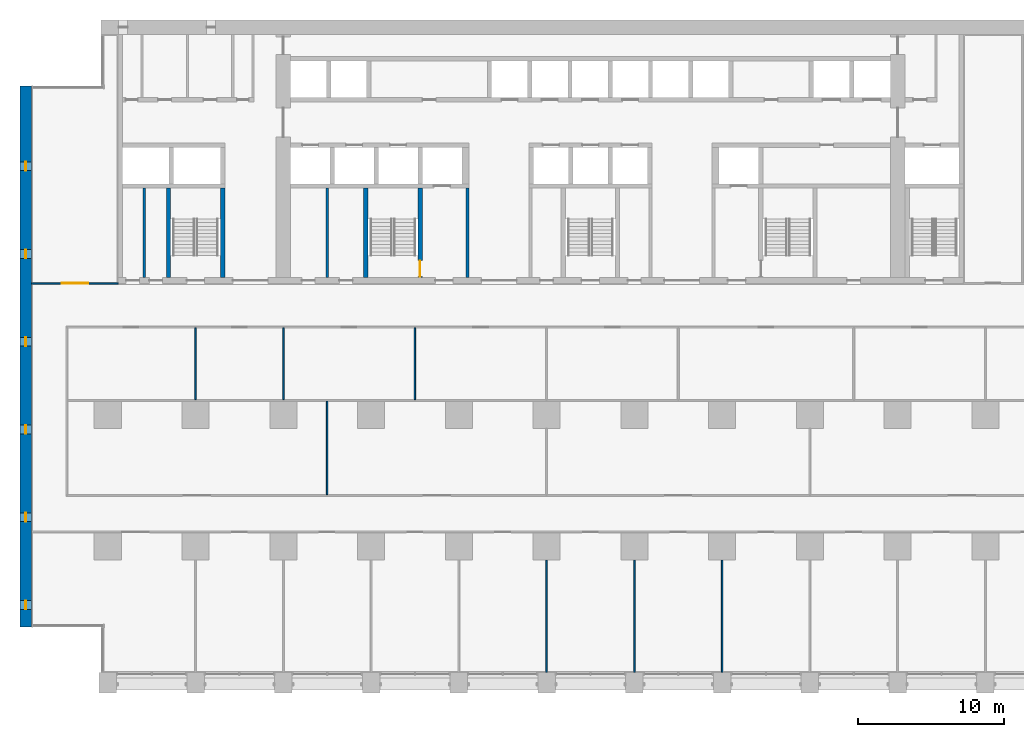
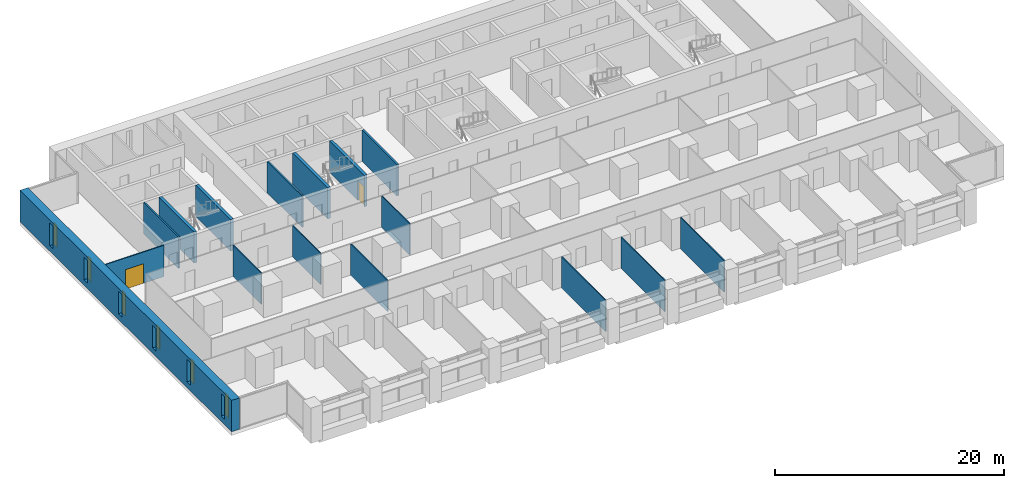
# One storey, part 8 of 18: 16 walls, 6 windows, 2 doors, 8 openings.
"""IFC4 building model written with IfcOpenShell, lengths in metres."""

import ifcopenshell
import ifcopenshell.guid

model = None  # the IFC model being written
_history = None  # IfcOwnerHistory: only IFC2X3 demands one
_inside = {}  # id of a spatial element -> (the spatial element, [elements in it])
_under = {}  # id of a project, library or spatial element -> (it, [spatial elements below it])
_declared = {}  # id of a project -> (the project, [libraries it declares])
_typed = {}  # id of a type object -> (the type object, [elements of that type])
_made_of = {}  # id of a material, layer set ... -> (it, [elements and type objects made of it])


def new_model(schema):
    """Start an empty IFC model of exactly this schema.

    Asked for "IFC4X3", IfcOpenShell would pick the latest addendum, in which some entities
    have other attributes; the version numbers below select the first issue.
    IFC2X3 requires an IfcOwnerHistory on every rooted entity: one is made here for all.
    """
    global model, _history
    if schema == "IFC4X3":
        model = ifcopenshell.file(schema_version=(4, 3, 0, 0))
    else:
        model = ifcopenshell.file(schema=schema)
    _inside.clear()
    _under.clear()
    _declared.clear()
    _typed.clear()
    _made_of.clear()
    _history = None
    if model.schema == "IFC2X3":
        org = make("IfcOrganization", Name="unknown")
        user = make(
            "IfcPersonAndOrganization",
            ThePerson=make("IfcPerson", FamilyName="unknown"),
            TheOrganization=org,
        )
        app = make(
            "IfcApplication",
            ApplicationDeveloper=org,
            Version="unknown",
            ApplicationFullName="unknown",
            ApplicationIdentifier="unknown",
        )
        _history = make(
            "IfcOwnerHistory",
            OwningUser=user,
            OwningApplication=app,
            ChangeAction="ADDED",
            CreationDate=0,
        )
    return model


def make(cls, **values):
    """One entity of the class cls with the attributes given. An attribute that is None is left unset."""
    return model.create_entity(
        cls, **{name: value for name, value in values.items() if value is not None}
    )


def rooted(cls, **values):
    """An entity with a GlobalId (a new one), such as an element, a storey or a relation."""
    return make(cls, GlobalId=ifcopenshell.guid.new(), OwnerHistory=_history, **values)


def si_unit(unit_type, name, prefix=None):
    """IfcSIUnit, for example si_unit("LENGTHUNIT", "METRE", prefix="MILLI")."""
    return make("IfcSIUnit", UnitType=unit_type, Prefix=prefix, Name=name)


def assignment(units):
    """IfcUnitAssignment: the units of a project."""
    return None if units is None else make("IfcUnitAssignment", Units=units)


def point(xyz):
    """IfcCartesianPoint."""
    return None if xyz is None else make("IfcCartesianPoint", Coordinates=xyz)


def direction(xyz):
    """IfcDirection."""
    return None if xyz is None else make("IfcDirection", DirectionRatios=xyz)


def frame(location, z_axis=None, x_axis=None):
    """IfcAxis2Placement3D, a coordinate frame: its origin and axes. An axis left out is left unset."""
    return make(
        "IfcAxis2Placement3D",
        Location=point(location),
        Axis=direction(z_axis),
        RefDirection=direction(x_axis),
    )


def frame_2d(location, x_axis=None):
    """IfcAxis2Placement2D, a coordinate frame in the plane: its origin and x axis."""
    return make(
        "IfcAxis2Placement2D", Location=point(location), RefDirection=direction(x_axis)
    )


def origin():
    """The frame at (0, 0, 0) with its axes left unset."""
    return frame((0.0, 0.0, 0.0))


def place(relative_to, where):
    """IfcLocalPlacement: puts the frame where relative to a parent placement (None: the world)."""
    return make(
        "IfcLocalPlacement", PlacementRelTo=relative_to, RelativePlacement=where
    )


def context(
    kind, dimensions, precision=None, world=None, true_north=None, identifier=None
):
    """IfcGeometricRepresentationContext, for example the 3D "Model" context."""
    return make(
        "IfcGeometricRepresentationContext",
        ContextIdentifier=identifier,
        ContextType=kind,
        CoordinateSpaceDimension=dimensions,
        Precision=precision,
        WorldCoordinateSystem=world,
        TrueNorth=true_north,
    )


def subcontext(parent, identifier, kind, view, scale=None):
    """IfcGeometricRepresentationSubContext, for example "Body" below "Model"."""
    return make(
        "IfcGeometricRepresentationSubContext",
        ContextIdentifier=identifier,
        ContextType=kind,
        ParentContext=parent,
        TargetScale=scale,
        TargetView=view,
    )


def project(units=None, contexts=None):
    """IfcProject with its units and contexts."""
    return rooted(
        "IfcProject",
        Name="project",
        RepresentationContexts=contexts,
        UnitsInContext=assignment(units),
    )


def spatial(cls, under=None, at=None, **own):
    """A site, building, storey or space (cls), placed at a placement, below another one or the project."""
    s = rooted(cls, ObjectPlacement=at, **own)
    if under is not None:
        _under.setdefault(under.id(), (under, []))[1].append(s)
    return s


def profile(cls, at=None, kind="AREA", **sizes):
    """A parametric profile (cls). Its sizes go by their IFC names, for example OverallWidth=200.0."""
    return make(cls, ProfileType=kind, Position=at, **sizes)


def rectangle(**sizes):
    """IfcRectangleProfileDef."""
    return profile("IfcRectangleProfileDef", **sizes)


def extrude(swept, where, along, depth):
    """IfcExtrudedAreaSolid: the profile swept, set in the frame where, extruded along a direction by depth."""
    return make(
        "IfcExtrudedAreaSolid",
        SweptArea=swept,
        Position=where,
        ExtrudedDirection=direction(along),
        Depth=depth,
    )


def shape(context_of_items, identifier, shape_type, items):
    """IfcShapeRepresentation: the items that make up one representation, for example the "Body"."""
    return make(
        "IfcShapeRepresentation",
        ContextOfItems=context_of_items,
        RepresentationIdentifier=identifier,
        RepresentationType=shape_type,
        Items=items,
    )


def material(Name=None, Category=None):
    """IfcMaterial."""
    return make("IfcMaterial", Name=Name, Category=Category)


def layer(
    of_material, thickness, ventilated=None, Name=None, Category=None, Priority=None
):
    """IfcMaterialLayer: one layer of a wall or slab, of a material (None: an air gap)."""
    return make(
        "IfcMaterialLayer",
        Material=of_material,
        LayerThickness=thickness,
        IsVentilated=ventilated,
        Name=Name,
        Category=Category,
        Priority=Priority,
    )


def layer_set(layers, Name=None):
    """IfcMaterialLayerSet."""
    return make("IfcMaterialLayerSet", MaterialLayers=layers, LayerSetName=Name)


def made_of(thing, what):
    """Note that an element or type object is made of a material, layer set ...; save() writes the relation."""
    if what is not None:
        _made_of.setdefault(what.id(), (what, []))[1].append(thing)
    return thing


def type_object(cls, material=None, **own):
    """A type object (cls), such as IfcWallType, which elements share."""
    return made_of(rooted(cls, **own), material)


def element(
    cls,
    number,
    at=None,
    inside=None,
    cuts=None,
    type_object=None,
    material=None,
    context=None,
    identifier="Body",
    shape_type=None,
    held_by="IfcProductDefinitionShape",
    body=None,
    shapes=None,
    **own,
):
    """One element of the class cls, such as IfcWall. Its Tag is "e" and its number.

    at: its placement. inside: the storey or other place that contains it. cuts: it is an
    opening in that element (IfcRelVoidsElement). A single representation is given by context,
    identifier, shape_type and body (its items); several are given by shapes. held_by: the class
    of the entity that holds the representations. save() writes the other relations.
    """
    e = rooted(cls, Tag="e%d" % number, ObjectPlacement=at, **own)
    if body is not None:
        shapes = [shape(context, identifier, shape_type, body)]
    if shapes is not None:
        e.Representation = make(held_by, Representations=shapes)
    if inside is not None:
        _inside.setdefault(inside.id(), (inside, []))[1].append(e)
    if cuts is not None:
        rooted(
            "IfcRelVoidsElement", RelatingBuildingElement=cuts, RelatedOpeningElement=e
        )
    if type_object is not None:
        _typed.setdefault(type_object.id(), (type_object, []))[1].append(e)
    return made_of(e, material)


def fill(opening, filler):
    """IfcRelFillsElement: the door or window that sits in an opening."""
    return rooted(
        "IfcRelFillsElement",
        RelatingOpeningElement=opening,
        RelatedBuildingElement=filler,
    )


def aggregate(whole, parts):
    """IfcRelAggregates: a whole, such as a stair, and the parts it consists of."""
    return rooted("IfcRelAggregates", RelatingObject=whole, RelatedObjects=parts)


def save(model, path):
    """Write the relations noted so far, then the file.

    IfcRelAggregates (storeys below a building ...), IfcRelContainedInSpatialStructure (elements
    in a storey), IfcRelDefinesByType, IfcRelAssociatesMaterial and IfcRelDeclares: one each for
    every whole, place, type object, material and project.
    """
    for whole, parts in _under.values():
        aggregate(whole, parts)
    for where, things in _inside.values():
        rooted(
            "IfcRelContainedInSpatialStructure",
            RelatedElements=things,
            RelatingStructure=where,
        )
    for kind, things in _typed.values():
        rooted("IfcRelDefinesByType", RelatedObjects=things, RelatingType=kind)
    for what, things in _made_of.values():
        rooted("IfcRelAssociatesMaterial", RelatedObjects=things, RelatingMaterial=what)
    for by, libraries in _declared.values():
        rooted("IfcRelDeclares", RelatingContext=by, RelatedDefinitions=libraries)
    model.write(path)


model = new_model("IFC4")

# Units and contexts
model_context = context("Model", 3, precision=1e-05, world=origin(), true_north=direction((0.0, 1.0)))
body_context = subcontext(model_context, "Body", "Model", "MODEL_VIEW")
ifc_project = project(units=[si_unit("LENGTHUNIT", "METRE"), si_unit("AREAUNIT", "SQUARE_METRE"), si_unit("VOLUMEUNIT", "CUBIC_METRE"), si_unit("PLANEANGLEUNIT", "RADIAN"), si_unit("MASSUNIT", "GRAM", prefix="KILO")], contexts=[model_context])

# Site, building, storey
site_placement = place(None, origin())
site = spatial("IfcSite", under=ifc_project, at=site_placement, CompositionType="ELEMENT")
building_placement = place(site_placement, origin())
building = spatial("IfcBuilding", under=site, at=building_placement, Name="Calvaro Tower", CompositionType="ELEMENT")
storey_placement = place(building_placement, frame((0.0, 0.0, 26.25)))
storey = spatial("IfcBuildingStorey", under=building, at=storey_placement, Name="L05", CompositionType="ELEMENT", Elevation=26.25)

# Walls
ifc_material_1 = material(Name="Blockwork partition", Category="masonry")
ifc_layer_1 = layer(ifc_material_1, 0.14990234375)
ifc_layer_set_1 = layer_set([ifc_layer_1], Name="Blockwork partition")
wall_type_1 = type_object("IfcWallType", Name="Core partition 150 EI 60", PredefinedType="PARTITIONING", material=ifc_layer_set_1)
wall_1_placement = place(storey_placement, frame((21.0, 28.39990234375, 0.0), z_axis=(0.0, 0.0, 1.0), x_axis=(0.0, 1.0, 0.0)))
element("IfcWall", 1, at=wall_1_placement, inside=storey, type_object=wall_type_1, Name="Core partition", PredefinedType="PARTITIONING", context=body_context, shape_type="SweptSolid", body=[
    extrude(rectangle(XDim=6.10009765625, YDim=0.14990234375, at=frame_2d((3.050048828125, 0.0))), origin(), (0.0, 0.0, 1.0), 3.35009765625),
])
ifc_material_2 = material(Name="Blockwork partition", Category="masonry")
ifc_layer_2 = layer(ifc_material_2, 0.14990234375)
ifc_layer_set_2 = layer_set([ifc_layer_2], Name="Blockwork partition")
wall_type_2 = type_object("IfcWallType", Name="Core partition 150 REI 120", PredefinedType="PARTITIONING", material=ifc_layer_set_2)
wall_2_placement = place(storey_placement, frame((8.5, 28.39990234375, 0.0), z_axis=(0.0, 0.0, 1.0), x_axis=(0.0, 1.0, 0.0)))
element("IfcWall", 2, at=wall_2_placement, inside=storey, type_object=wall_type_2, Name="Core partition", PredefinedType="PARTITIONING", context=body_context, shape_type="SweptSolid", body=[
    extrude(rectangle(XDim=6.10009765625, YDim=0.14990234375, at=frame_2d((3.050048828125, 0.0))), origin(), (0.0, 0.0, 1.0), 3.35009765625),
])
ifc_material_3 = material(Name="Blockwork partition", Category="masonry")
ifc_layer_3 = layer(ifc_material_3, 0.199951171875)
ifc_layer_set_3 = layer_set([ifc_layer_3], Name="Blockwork partition")
wall_type_3 = type_object("IfcWallType", Name="Core partition 200 REI 120", PredefinedType="PARTITIONING", material=ifc_layer_set_3)
wall_3_placement = place(storey_placement, frame((30.60009765625, 28.39990234375, 0.0), z_axis=(0.0, 0.0, 1.0), x_axis=(0.0, 1.0, 0.0)))
element("IfcWall", 3, at=wall_3_placement, inside=storey, type_object=wall_type_3, Name="Core partition", PredefinedType="PARTITIONING", context=body_context, shape_type="SweptSolid", body=[
    extrude(rectangle(XDim=6.10009765625, YDim=0.199951171875, at=frame_2d((3.050048828125, 0.0))), origin(), (0.0, 0.0, 1.0), 3.35009765625),
])
ifc_material_4 = material(Name="Concrete C80/95", Category="concrete")
ifc_layer_4 = layer(ifc_material_4, 0.300048828125)
ifc_layer_set_4 = layer_set([ifc_layer_4], Name="Concrete C80/95")
wall_type_4 = type_object("IfcWallType", Name="Core wall C80/95 300", PredefinedType="SHEAR", material=ifc_layer_set_4)
for number, where, z_axis, x_axis, name in (
    (4, (10.14990234375, 28.39990234375, 0.0), (0.0, 0.0, 1.0), (0.0, 1.0, 0.0), "Core wall, stair enclosure"),
    (5, (13.85009765625, 28.39990234375, 0.0), (0.0, 0.0, 1.0), (0.0, 1.0, 0.0), "Core wall, stair enclosure"),
    (6, (23.64990234375, 28.39990234375, 0.0), (0.0, 0.0, 1.0), (0.0, 1.0, 0.0), "Core wall, stair enclosure"),
):
    element("IfcWall", number, at=place(storey_placement, frame(where, z_axis=z_axis, x_axis=x_axis)), inside=storey, type_object=wall_type_4, Name=name, PredefinedType="SHEAR", context=body_context, shape_type="SweptSolid", body=[
        extrude(rectangle(XDim=6.10009765625, YDim=0.300048828125, at=frame_2d((3.050048828125, 0.0))), origin(), (0.0, 0.0, 1.0), 3.35009765625),
    ])

# Wall, opening, door
wall_4_placement = place(storey_placement, frame((27.35009765625, 28.39990234375, 0.0), z_axis=(0.0, 0.0, 1.0), x_axis=(0.0, 1.0, 0.0)))
wall_4 = element("IfcWall", 7, at=wall_4_placement, inside=storey, type_object=wall_type_4, Name="Core wall, stair enclosure", PredefinedType="SHEAR", context=body_context, shape_type="SweptSolid", body=[
    extrude(rectangle(XDim=6.10009765625, YDim=0.300048828125, at=frame_2d((3.050048828125, 0.0))), origin(), (0.0, 0.0, 1.0), 3.35009765625),
])
opening_1_placement = place(wall_4_placement, frame((0.050048828125, 0.0, 0.0)))
opening_1 = element("IfcOpeningElement", 8, at=opening_1_placement, cuts=wall_4, Name="Opening FD11D", PredefinedType="OPENING", context=body_context, shape_type="SweptSolid", body=[
    extrude(rectangle(XDim=1.10009765625, YDim=2.10009765625, at=frame_2d((0.550048828125, 1.050048828125))), frame((0.0, 0.159912109375, 0.0), z_axis=(0.0, -1.0, 0.0), x_axis=(1.0, 0.0, 0.0)), (0.0, 0.0, 1.0), 0.320068359375),
])
ifc_material_5 = material(Name="Steel door set", Category="steel")
door_type_1 = type_object("IfcDoorType", Name="Fire door 1100 FD30S", OperationType="SINGLE_SWING_LEFT", PredefinedType="DOOR", material=ifc_material_5)
door_1_placement = place(opening_1_placement, origin())
door_1 = element("IfcDoor", 9, at=door_1_placement, inside=storey, type_object=door_type_1, Name="Fire door", OperationType="SINGLE_SWING_LEFT", OverallHeight=2.10009765625, OverallWidth=1.10009765625, PredefinedType="DOOR", context=body_context, shape_type="SweptSolid", body=[
    extrude(rectangle(XDim=1.10009765625, YDim=2.10009765625, at=frame_2d((0.550048828125, 1.050048828125))), frame((0.0, 0.02490234375, 0.0), z_axis=(0.0, -1.0, 0.0), x_axis=(1.0, 0.0, 0.0)), (0.0, 0.0, 1.0), 0.050048828125),
])
fill(opening_1, door_1)

# Wall, openings, windows
ifc_material_6 = material(Name="Concrete C80/95", Category="concrete")
ifc_layer_5 = layer(ifc_material_6, 0.800048828125)
ifc_layer_set_5 = layer_set([ifc_layer_5], Name="Concrete C80/95")
wall_type_5 = type_object("IfcWallType", Name="End wall 800 C80/95", PredefinedType="SHEAR", material=ifc_layer_set_5)
wall_5_placement = place(storey_placement, frame((0.39990234375, 4.5, 0.0), z_axis=(0.0, 0.0, 1.0), x_axis=(0.0, 1.0, 0.0)))
wall_5 = element("IfcWall", 10, at=wall_5_placement, inside=storey, type_object=wall_type_5, Name="End shear wall", PredefinedType="SHEAR", context=body_context, shape_type="SweptSolid", body=[
    extrude(rectangle(XDim=37.0, YDim=0.800048828125, at=frame_2d((18.5, 0.0))), origin(), (0.0, 0.0, 1.0), 3.35009765625),
])
opening_2_placement = place(wall_5_placement, frame((1.199951171875, 0.0, 0.60009765625)))
opening_2 = element("IfcOpeningElement", 11, at=opening_2_placement, cuts=wall_5, Name="Opening WW01", PredefinedType="OPENING", context=body_context, shape_type="SweptSolid", body=[
    extrude(rectangle(XDim=0.60009765625, YDim=2.39990234375, at=frame_2d((0.300048828125, 1.199951171875))), frame((0.0, 0.409912109375, 0.0), z_axis=(0.0, -1.0, 0.0), x_axis=(1.0, 0.0, 0.0)), (0.0, 0.0, 1.0), 0.820068359375),
])
opening_3_placement = place(wall_5_placement, frame((7.199951171875, 0.0, 0.60009765625)))
opening_3 = element("IfcOpeningElement", 12, at=opening_3_placement, cuts=wall_5, Name="Opening WW02", PredefinedType="OPENING", context=body_context, shape_type="SweptSolid", body=[
    extrude(rectangle(XDim=0.60009765625, YDim=2.39990234375, at=frame_2d((0.300048828125, 1.199951171875))), frame((0.0, 0.409912109375, 0.0), z_axis=(0.0, -1.0, 0.0), x_axis=(1.0, 0.0, 0.0)), (0.0, 0.0, 1.0), 0.820068359375),
])
opening_4_placement = place(wall_5_placement, frame((13.199951171875, 0.0, 0.60009765625)))
opening_4 = element("IfcOpeningElement", 13, at=opening_4_placement, cuts=wall_5, Name="Opening WW03", PredefinedType="OPENING", context=body_context, shape_type="SweptSolid", body=[
    extrude(rectangle(XDim=0.60009765625, YDim=2.39990234375, at=frame_2d((0.300048828125, 1.199951171875))), frame((0.0, 0.409912109375, 0.0), z_axis=(0.0, -1.0, 0.0), x_axis=(1.0, 0.0, 0.0)), (0.0, 0.0, 1.0), 0.820068359375),
])
opening_5_placement = place(wall_5_placement, frame((19.199951171875, 0.0, 0.60009765625)))
opening_5 = element("IfcOpeningElement", 14, at=opening_5_placement, cuts=wall_5, Name="Opening WW04", PredefinedType="OPENING", context=body_context, shape_type="SweptSolid", body=[
    extrude(rectangle(XDim=0.60009765625, YDim=2.39990234375, at=frame_2d((0.300048828125, 1.199951171875))), frame((0.0, 0.409912109375, 0.0), z_axis=(0.0, -1.0, 0.0), x_axis=(1.0, 0.0, 0.0)), (0.0, 0.0, 1.0), 0.820068359375),
])
opening_6_placement = place(wall_5_placement, frame((25.199951171875, 0.0, 0.60009765625)))
opening_6 = element("IfcOpeningElement", 15, at=opening_6_placement, cuts=wall_5, Name="Opening WW05", PredefinedType="OPENING", context=body_context, shape_type="SweptSolid", body=[
    extrude(rectangle(XDim=0.60009765625, YDim=2.39990234375, at=frame_2d((0.300048828125, 1.199951171875))), frame((0.0, 0.409912109375, 0.0), z_axis=(0.0, -1.0, 0.0), x_axis=(1.0, 0.0, 0.0)), (0.0, 0.0, 1.0), 0.820068359375),
])
opening_7_placement = place(wall_5_placement, frame((31.199951171875, 0.0, 0.60009765625)))
opening_7 = element("IfcOpeningElement", 16, at=opening_7_placement, cuts=wall_5, Name="Opening WW06", PredefinedType="OPENING", context=body_context, shape_type="SweptSolid", body=[
    extrude(rectangle(XDim=0.60009765625, YDim=2.39990234375, at=frame_2d((0.300048828125, 1.199951171875))), frame((0.0, 0.409912109375, 0.0), z_axis=(0.0, -1.0, 0.0), x_axis=(1.0, 0.0, 0.0)), (0.0, 0.0, 1.0), 0.820068359375),
])
ifc_material_7 = material(Name="Glass", Category="glass")
window_type = type_object("IfcWindowType", Name="Slit window 600 x 2400", PartitioningType="SINGLE_PANEL", PredefinedType="WINDOW", material=ifc_material_7)
window_1_placement = place(opening_2_placement, origin())
window_1 = element("IfcWindow", 17, at=window_1_placement, inside=storey, type_object=window_type, Name="Window WW01", OverallHeight=2.39990234375, OverallWidth=0.60009765625, PartitioningType="SINGLE_PANEL", PredefinedType="WINDOW", context=body_context, shape_type="SweptSolid", body=[
    extrude(rectangle(XDim=0.60009765625, YDim=2.39990234375, at=frame_2d((0.300048828125, 1.199951171875))), frame((0.0, 0.030029296875, 0.0), z_axis=(0.0, -1.0, 0.0), x_axis=(1.0, 0.0, 0.0)), (0.0, 0.0, 1.0), 0.06005859375),
])
fill(opening_2, window_1)
window_2_placement = place(opening_3_placement, origin())
window_2 = element("IfcWindow", 18, at=window_2_placement, inside=storey, type_object=window_type, Name="Window WW02", OverallHeight=2.39990234375, OverallWidth=0.60009765625, PartitioningType="SINGLE_PANEL", PredefinedType="WINDOW", context=body_context, shape_type="SweptSolid", body=[
    extrude(rectangle(XDim=0.60009765625, YDim=2.39990234375, at=frame_2d((0.300048828125, 1.199951171875))), frame((0.0, 0.030029296875, 0.0), z_axis=(0.0, -1.0, 0.0), x_axis=(1.0, 0.0, 0.0)), (0.0, 0.0, 1.0), 0.06005859375),
])
fill(opening_3, window_2)
window_3_placement = place(opening_4_placement, origin())
window_3 = element("IfcWindow", 19, at=window_3_placement, inside=storey, type_object=window_type, Name="Window WW03", OverallHeight=2.39990234375, OverallWidth=0.60009765625, PartitioningType="SINGLE_PANEL", PredefinedType="WINDOW", context=body_context, shape_type="SweptSolid", body=[
    extrude(rectangle(XDim=0.60009765625, YDim=2.39990234375, at=frame_2d((0.300048828125, 1.199951171875))), frame((0.0, 0.030029296875, 0.0), z_axis=(0.0, -1.0, 0.0), x_axis=(1.0, 0.0, 0.0)), (0.0, 0.0, 1.0), 0.06005859375),
])
fill(opening_4, window_3)
window_4_placement = place(opening_5_placement, origin())
window_4 = element("IfcWindow", 20, at=window_4_placement, inside=storey, type_object=window_type, Name="Window WW04", OverallHeight=2.39990234375, OverallWidth=0.60009765625, PartitioningType="SINGLE_PANEL", PredefinedType="WINDOW", context=body_context, shape_type="SweptSolid", body=[
    extrude(rectangle(XDim=0.60009765625, YDim=2.39990234375, at=frame_2d((0.300048828125, 1.199951171875))), frame((0.0, 0.030029296875, 0.0), z_axis=(0.0, -1.0, 0.0), x_axis=(1.0, 0.0, 0.0)), (0.0, 0.0, 1.0), 0.06005859375),
])
fill(opening_5, window_4)
window_5_placement = place(opening_6_placement, origin())
window_5 = element("IfcWindow", 21, at=window_5_placement, inside=storey, type_object=window_type, Name="Window WW05", OverallHeight=2.39990234375, OverallWidth=0.60009765625, PartitioningType="SINGLE_PANEL", PredefinedType="WINDOW", context=body_context, shape_type="SweptSolid", body=[
    extrude(rectangle(XDim=0.60009765625, YDim=2.39990234375, at=frame_2d((0.300048828125, 1.199951171875))), frame((0.0, 0.030029296875, 0.0), z_axis=(0.0, -1.0, 0.0), x_axis=(1.0, 0.0, 0.0)), (0.0, 0.0, 1.0), 0.06005859375),
])
fill(opening_6, window_5)
window_6_placement = place(opening_7_placement, origin())
window_6 = element("IfcWindow", 22, at=window_6_placement, inside=storey, type_object=window_type, Name="Window WW06", OverallHeight=2.39990234375, OverallWidth=0.60009765625, PartitioningType="SINGLE_PANEL", PredefinedType="WINDOW", context=body_context, shape_type="SweptSolid", body=[
    extrude(rectangle(XDim=0.60009765625, YDim=2.39990234375, at=frame_2d((0.300048828125, 1.199951171875))), frame((0.0, 0.030029296875, 0.0), z_axis=(0.0, -1.0, 0.0), x_axis=(1.0, 0.0, 0.0)), (0.0, 0.0, 1.0), 0.06005859375),
])
fill(opening_7, window_6)

# Wall, opening, door
ifc_material_8 = material(Name="Plasterboard on steel studs", Category="steel")
ifc_layer_6 = layer(ifc_material_8, 0.10009765625)
ifc_layer_set_6 = layer_set([ifc_layer_6], Name="Plasterboard on steel studs")
wall_type_6 = type_object("IfcWallType", Name="Partition 100", PredefinedType="PARTITIONING", material=ifc_layer_set_6)
wall_6_placement = place(storey_placement, frame((0.800048828125, 28.0, 0.0), z_axis=(0.0, 0.0, 1.0), x_axis=(1.0, 0.0, 0.0)))
wall_6 = element("IfcWall", 23, at=wall_6_placement, inside=storey, type_object=wall_type_6, Name="Partition T07.W005", PredefinedType="PARTITIONING", context=body_context, shape_type="SweptSolid", body=[
    extrude(rectangle(XDim=5.89990234375, YDim=0.10009765625, at=frame_2d((2.949951171875, 0.0))), origin(), (0.0, 0.0, 1.0), 3.35009765625),
])
opening_8_placement = place(wall_6_placement, frame((2.050048828125, 0.0, 0.0)))
opening_8 = element("IfcOpeningElement", 24, at=opening_8_placement, cuts=wall_6, Name="Opening T07.025", PredefinedType="OPENING", context=body_context, shape_type="SweptSolid", body=[
    extrude(rectangle(XDim=1.800048828125, YDim=2.10009765625, at=frame_2d((0.89990234375, 1.050048828125))), frame((0.0, 0.06005859375, 0.0), z_axis=(0.0, -1.0, 0.0), x_axis=(1.0, 0.0, 0.0)), (0.0, 0.0, 1.0), 0.1201171875),
])
ifc_material_9 = material(Name="Timber", Category="wood")
door_type_2 = type_object("IfcDoorType", Name="Internal double door 1800 x 2100", OperationType="DOUBLE_DOOR_SINGLE_SWING", PredefinedType="DOOR", material=ifc_material_9)
door_2_placement = place(opening_8_placement, origin())
door_2 = element("IfcDoor", 25, at=door_2_placement, inside=storey, type_object=door_type_2, Name="Door T07.025", OperationType="DOUBLE_DOOR_SINGLE_SWING", OverallHeight=2.10009765625, OverallWidth=1.800048828125, PredefinedType="DOOR", context=body_context, shape_type="SweptSolid", body=[
    extrude(rectangle(XDim=1.800048828125, YDim=2.10009765625, at=frame_2d((0.89990234375, 1.050048828125))), frame((0.0, 0.02490234375, 0.0), z_axis=(0.0, -1.0, 0.0), x_axis=(1.0, 0.0, 0.0)), (0.0, 0.0, 1.0), 0.050048828125),
])
fill(opening_8, door_2)

# Walls
for number, where, z_axis, x_axis, name in (
    (26, (12.0, 20.050048828125, 0.0), (0.0, 0.0, 1.0), (0.0, 1.0, 0.0), "Partition T07.W009"),
    (27, (18.0, 20.050048828125, 0.0), (0.0, 0.0, 1.0), (0.0, 1.0, 0.0), "Partition T07.W011"),
):
    element("IfcWall", number, at=place(storey_placement, frame(where, z_axis=z_axis, x_axis=x_axis)), inside=storey, type_object=wall_type_6, Name=name, PredefinedType="PARTITIONING", context=body_context, shape_type="SweptSolid", body=[
        extrude(rectangle(XDim=4.89990234375, YDim=0.10009765625, at=frame_2d((2.449951171875, 0.0))), origin(), (0.0, 0.0, 1.0), 3.35009765625),
    ])
wall_7_placement = place(storey_placement, frame((21.0, 13.550048828125, 0.0), z_axis=(0.0, 0.0, 1.0), x_axis=(0.0, 1.0, 0.0)))
element("IfcWall", 28, at=wall_7_placement, inside=storey, type_object=wall_type_6, Name="Partition T07.W012", PredefinedType="PARTITIONING", context=body_context, shape_type="SweptSolid", body=[
    extrude(rectangle(XDim=6.39990234375, YDim=0.10009765625, at=frame_2d((3.199951171875, 0.0))), origin(), (0.0, 0.0, 1.0), 3.35009765625),
])
wall_8_placement = place(storey_placement, frame((27.0, 20.050048828125, 0.0), z_axis=(0.0, 0.0, 1.0), x_axis=(0.0, 1.0, 0.0)))
element("IfcWall", 29, at=wall_8_placement, inside=storey, type_object=wall_type_6, Name="Partition T07.W014", PredefinedType="PARTITIONING", context=body_context, shape_type="SweptSolid", body=[
    extrude(rectangle(XDim=4.89990234375, YDim=0.10009765625, at=frame_2d((2.449951171875, 0.0))), origin(), (0.0, 0.0, 1.0), 3.35009765625),
])
for number, where, z_axis, x_axis, name in (
    (30, (36.0, 1.39990234375, 0.0), (0.0, 0.0, 1.0), (0.0, 1.0, 0.0), "Partition T07.W016"),
    (31, (42.0, 1.39990234375, 0.0), (0.0, 0.0, 1.0), (0.0, 1.0, 0.0), "Partition T07.W019"),
    (32, (48.0, 1.39990234375, 0.0), (0.0, 0.0, 1.0), (0.0, 1.0, 0.0), "Partition T07.W021"),
):
    element("IfcWall", number, at=place(storey_placement, frame(where, z_axis=z_axis, x_axis=x_axis)), inside=storey, type_object=wall_type_6, Name=name, PredefinedType="PARTITIONING", context=body_context, shape_type="SweptSolid", body=[
        extrude(rectangle(XDim=7.675048828125, YDim=0.10009765625, at=frame_2d((3.83740234375, 0.0))), origin(), (0.0, 0.0, 1.0), 3.35009765625),
    ])

save(model, "model.ifc")
